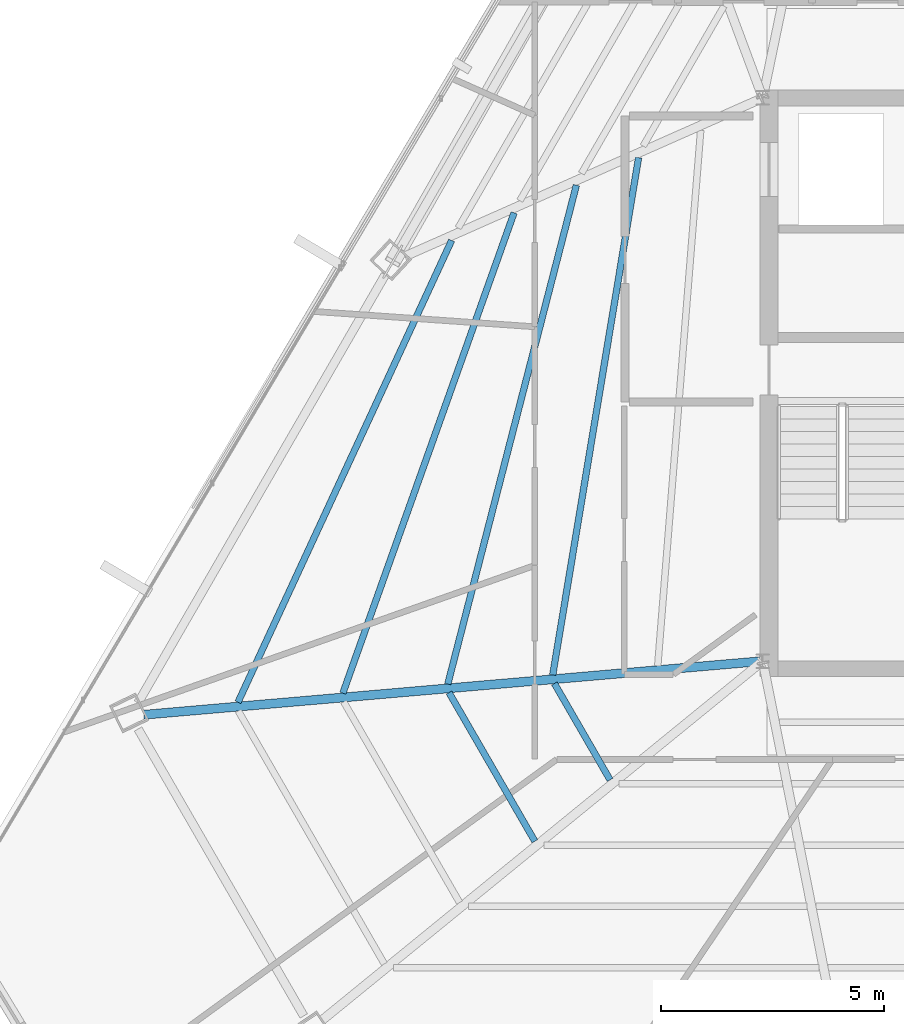
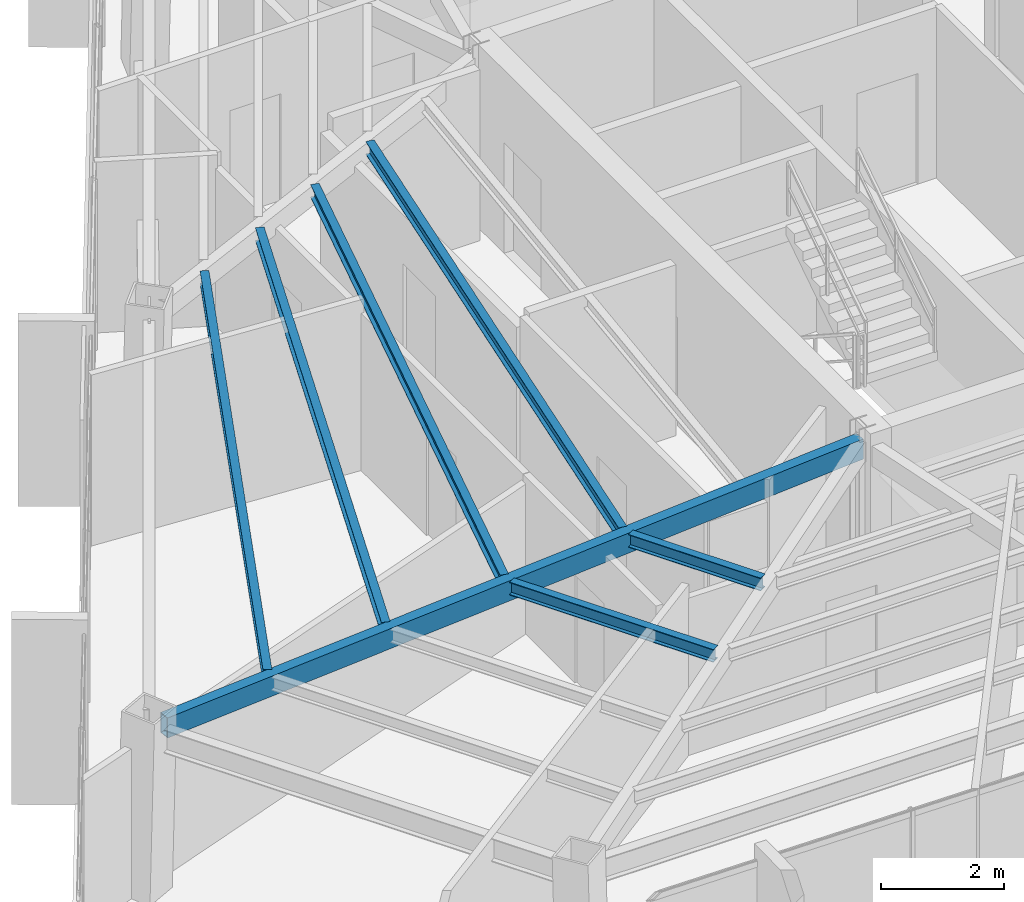
# One storey, part 10 of 42: 7 beams.
"""IFC4 building model written with IfcOpenShell, lengths in metres."""

from ifc_helpers import new_model, si_unit, direction, frame, origin, origin_2d, place, context, subcontext, project, spatial, hollow_rectangle, i_section, extrude, source, transform, mapped, material, material_profile, profile_set, type_object, type_shapes, element, save


model = new_model("IFC4")

# Units and contexts
model_context = context("Model", 3, precision=1e-05, world=origin(), true_north=direction((0.0, 1.0)))
body_context = subcontext(model_context, "Body", "Model", "MODEL_VIEW")
ifc_project = project(units=[si_unit("LENGTHUNIT", "METRE"), si_unit("AREAUNIT", "SQUARE_METRE"), si_unit("VOLUMEUNIT", "CUBIC_METRE"), si_unit("PLANEANGLEUNIT", "RADIAN"), si_unit("MASSUNIT", "GRAM", prefix="KILO")], contexts=[model_context])

# Site, building, storey
site_placement = place(None, origin())
site = spatial("IfcSite", under=ifc_project, at=site_placement, CompositionType="ELEMENT")
building_placement = place(site_placement, origin())
building = spatial("IfcBuilding", under=site, at=building_placement, Name="Caelisora Broadcast Tower", CompositionType="ELEMENT")
storey_placement = place(building_placement, frame((0.0, 0.0, 244.449951171875)))
storey = spatial("IfcBuildingStorey", under=building, at=storey_placement, Name="L64", CompositionType="ELEMENT", Elevation=244.449951171875)

# Beams
ifc_material_1 = material(Name="Steel Grade 350 (AS/NZS 1163 C350L0)", Category="steel")
ifc_material_profile_1 = material_profile(ifc_material_1, hollow_rectangle(XDim=0.199951171875, YDim=0.39990234375, WallThickness=0.012451171875, at=origin_2d()), Name="Steel Grade 350 (AS/NZS 1163 C350L0)")
ifc_profile_set_1 = profile_set([ifc_material_profile_1], Name="Steel Grade 350 (AS/NZS 1163 C350L0)")
beam_type_1 = type_object("IfcBeamType", Name="PG07", PredefinedType="BEAM", material=ifc_profile_set_1)
shared_shape_1 = source(origin(), body_context, "Body", "SweptSolid", [
    extrude(hollow_rectangle(XDim=0.199951171875, YDim=0.39990234375, WallThickness=0.012451171875, at=origin_2d()), origin(), (0.0, 0.0, 1.0), 13.84130859375),
])
type_shapes(beam_type_1, [shared_shape_1])
beam_1_placement = place(storey_placement, frame((30.440185546875, 17.394775390625, 3.199951171875), z_axis=(-0.996256522052, -0.086446181342, 0.0), x_axis=(0.086446181342, -0.996256522052, 0.0)))
element("IfcBeam", 1, at=beam_1_placement, inside=storey, type_object=beam_type_1, Name="L64 beam PG07", PredefinedType="BEAM", context=body_context, shape_type="MappedRepresentation", body=[
    mapped(shared_shape_1, transform((0.0, 0.0, 0.0), scale=1.0)),
])
ifc_material_2 = material(Name="Steel Grade 350 (AS/NZS 3679.1)", Category="steel")
ifc_material_profile_2 = material_profile(ifc_material_2, i_section(OverallWidth=0.14599609375, OverallDepth=0.256103515625, WebThickness=0.00634765625, FlangeThickness=0.010986328125, at=origin_2d()), Name="Steel Grade 350 (AS/NZS 3679.1)")
ifc_profile_set_2 = profile_set([ifc_material_profile_2], Name="Steel Grade 350 (AS/NZS 3679.1)")
beam_type_2 = type_object("IfcBeamType", Name="SB04", PredefinedType="JOIST", material=ifc_profile_set_2)
shared_shape_2 = source(origin(), body_context, "Body", "SweptSolid", [
    extrude(i_section(OverallWidth=0.14599609375, OverallDepth=0.256103515625, WebThickness=0.00634765625, FlangeThickness=0.010986328125, at=origin_2d()), origin(), (0.0, 0.0, 1.0), 11.73193359375),
])
beam_2_placement = place(storey_placement, frame((27.72119140625, 28.663330078125, 3.27197265625), z_axis=(-0.163670032735, -0.98651513946, 0.0), x_axis=(0.98651513946, -0.163670032735, 0.0)))
element("IfcBeam", 2, at=beam_2_placement, inside=storey, type_object=beam_type_2, Name="L64 beam SB04", PredefinedType="JOIST", context=body_context, shape_type="MappedRepresentation", body=[
    mapped(shared_shape_2, transform((0.0, 0.0, 0.0), scale=1.0)),
])
shared_shape_3 = source(origin(), body_context, "Body", "SweptSolid", [
    extrude(i_section(OverallWidth=0.14599609375, OverallDepth=0.256103515625, WebThickness=0.00634765625, FlangeThickness=0.010986328125, at=origin_2d()), origin(), (0.0, 0.0, 1.0), 11.525634765625),
])
beam_3_placement = place(storey_placement, frame((26.329345703125, 28.046875, 3.27197265625), z_axis=(-0.249591643372, -0.968351181937, 0.0), x_axis=(0.968351181937, -0.249591643372, 0.0)))
element("IfcBeam", 3, at=beam_3_placement, inside=storey, type_object=beam_type_2, Name="L64 beam SB04", PredefinedType="JOIST", context=body_context, shape_type="MappedRepresentation", body=[
    mapped(shared_shape_3, transform((0.0, 0.0, 0.0), scale=1.0)),
])
shared_shape_4 = source(origin(), body_context, "Body", "SweptSolid", [
    extrude(i_section(OverallWidth=0.14599609375, OverallDepth=0.256103515625, WebThickness=0.00634765625, FlangeThickness=0.010986328125, at=origin_2d()), origin(), (0.0, 0.0, 1.0), 11.409423828125),
])
beam_4_placement = place(storey_placement, frame((24.935302734375, 27.4296875, 3.27197265625), z_axis=(-0.335714133903, -0.941963916664, 0.0), x_axis=(0.941963916664, -0.335714133903, 0.0)))
element("IfcBeam", 4, at=beam_4_placement, inside=storey, type_object=beam_type_2, Name="L64 beam SB04", PredefinedType="JOIST", context=body_context, shape_type="MappedRepresentation", body=[
    mapped(shared_shape_4, transform((0.0, 0.0, 0.0), scale=1.0)),
])
shared_shape_5 = source(origin(), body_context, "Body", "SweptSolid", [
    extrude(i_section(OverallWidth=0.14599609375, OverallDepth=0.256103515625, WebThickness=0.00634765625, FlangeThickness=0.010986328125, at=origin_2d()), origin(), (0.0, 0.0, 1.0), 11.384521484375),
])
beam_5_placement = place(storey_placement, frame((23.53857421875, 26.81103515625, 3.27197265625), z_axis=(-0.419875330857, -0.90758179055, 0.0), x_axis=(0.90758179055, -0.419875330857, 0.0)))
element("IfcBeam", 5, at=beam_5_placement, inside=storey, type_object=beam_type_2, Name="L64 beam SB04", PredefinedType="JOIST", context=body_context, shape_type="MappedRepresentation", body=[
    mapped(shared_shape_5, transform((0.0, 0.0, 0.0), scale=1.0)),
])
shared_shape_6 = source(origin(), body_context, "Body", "SweptSolid", [
    extrude(i_section(OverallWidth=0.14599609375, OverallDepth=0.256103515625, WebThickness=0.00634765625, FlangeThickness=0.010986328125, at=origin_2d()), origin(), (0.0, 0.0, 1.0), 2.490234375),
])
beam_6_placement = place(storey_placement, frame((25.83837890625, 16.897705078125, 3.27197265625), z_axis=(0.499977039259, -0.866038659768, 0.0), x_axis=(0.866038659768, 0.499977039259, 0.0)))
element("IfcBeam", 6, at=beam_6_placement, inside=storey, type_object=beam_type_2, Name="L64 beam SB04", PredefinedType="JOIST", context=body_context, shape_type="MappedRepresentation", body=[
    mapped(shared_shape_6, transform((0.0, 0.0, 0.0), scale=1.0)),
])
shared_shape_7 = source(origin(), body_context, "Body", "SweptSolid", [
    extrude(i_section(OverallWidth=0.14599609375, OverallDepth=0.256103515625, WebThickness=0.00634765625, FlangeThickness=0.010986328125, at=origin_2d()), origin(), (0.0, 0.0, 1.0), 3.838623046875),
])
type_shapes(beam_type_2, [shared_shape_2, shared_shape_3, shared_shape_4, shared_shape_5, shared_shape_6, shared_shape_7])
beam_7_placement = place(storey_placement, frame((23.48046875, 16.693115234375, 3.27197265625), z_axis=(0.500038100297, -0.86600340545, 0.0), x_axis=(0.86600340545, 0.500038100297, 0.0)))
element("IfcBeam", 7, at=beam_7_placement, inside=storey, type_object=beam_type_2, Name="L64 beam SB04", PredefinedType="JOIST", context=body_context, shape_type="MappedRepresentation", body=[
    mapped(shared_shape_7, transform((0.0, 0.0, 0.0), scale=1.0)),
])

save(model, "model.ifc")
